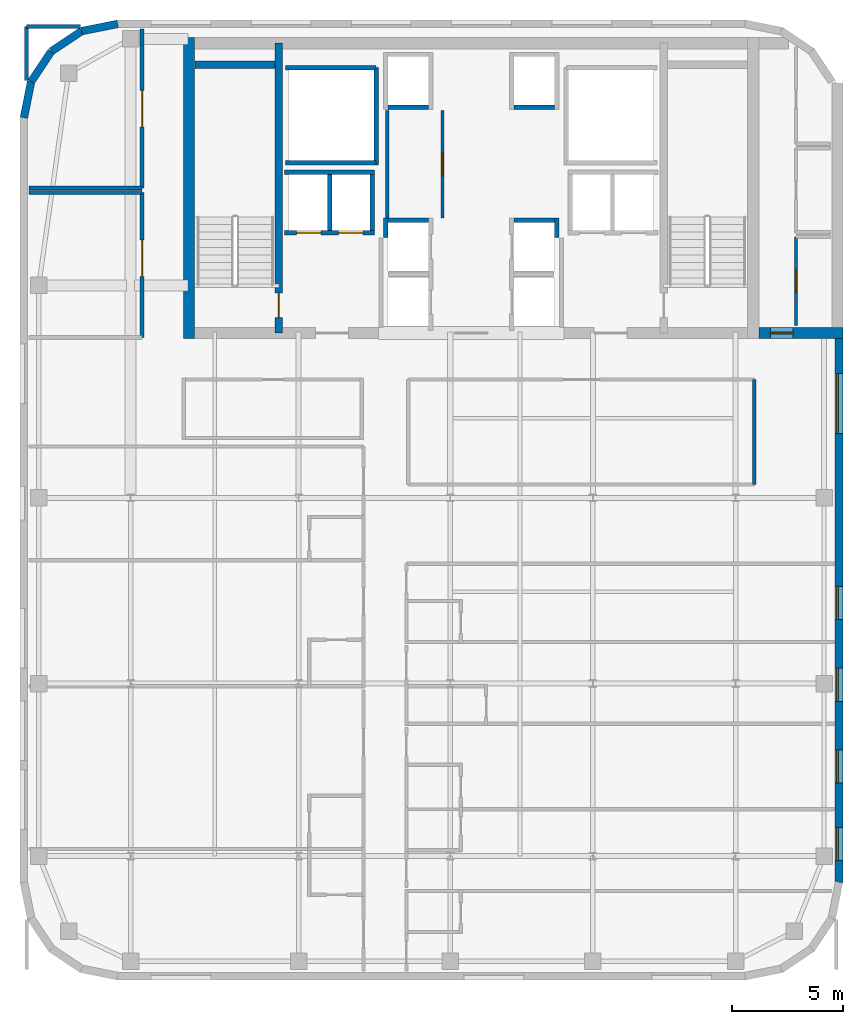
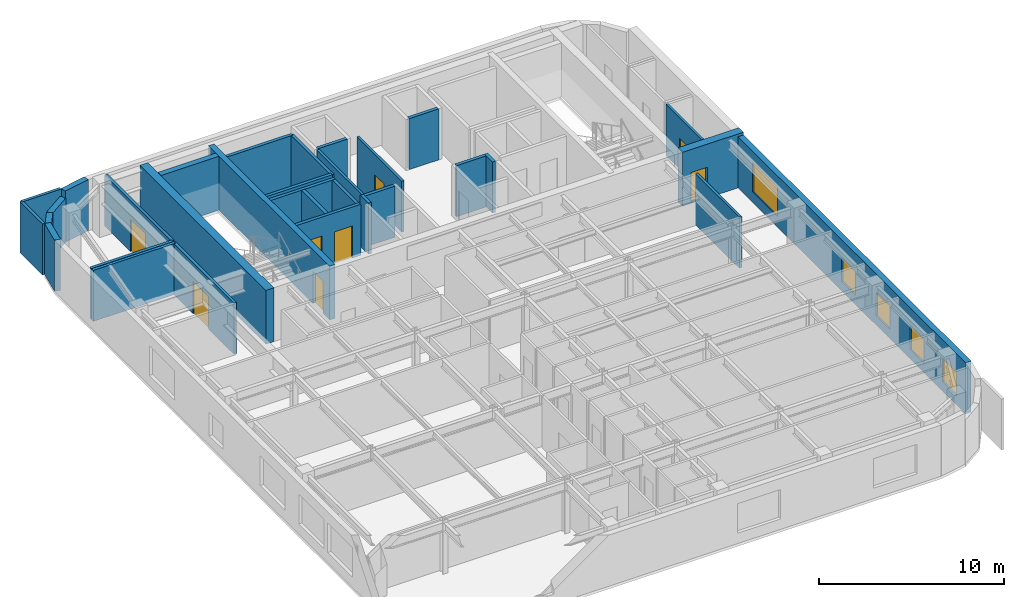
# One storey, part 6 of 9: 32 walls, 8 doors, 5 windows, 13 openings.
"""IFC4 building model written with IfcOpenShell, lengths in metres."""

from ifc_helpers import new_model, si_unit, direction, frame, frame_2d, origin, place, context, subcontext, project, spatial, rectangle, extrude, source, transform, mapped, material, layer, layer_set, type_object, type_shapes, element, fill, save


model = new_model("IFC4")

# Units and contexts
model_context = context("Model", 3, precision=1e-05, world=origin(), true_north=direction((0.0, 1.0)))
body_context = subcontext(model_context, "Body", "Model", "MODEL_VIEW")
ifc_project = project(units=[si_unit("LENGTHUNIT", "METRE"), si_unit("AREAUNIT", "SQUARE_METRE"), si_unit("VOLUMEUNIT", "CUBIC_METRE"), si_unit("PLANEANGLEUNIT", "RADIAN"), si_unit("MASSUNIT", "GRAM", prefix="KILO")], contexts=[model_context])

# Site, building, storey
site_placement = place(None, origin())
site = spatial("IfcSite", under=ifc_project, at=site_placement, CompositionType="ELEMENT")
building_placement = place(site_placement, origin())
building = spatial("IfcBuilding", under=site, at=building_placement, Name="Tolvann Quenvar Hotel", CompositionType="ELEMENT")
storey_placement = place(building_placement, frame((0.0, 0.0, 209.699951171875)))
storey = spatial("IfcBuildingStorey", under=building, at=storey_placement, Name="L55", CompositionType="ELEMENT", Elevation=209.699951171875)

# Wall
ifc_material_1 = material(Name="Concrete N50 (50 MPa)", Category="concrete")
ifc_layer_1 = layer(ifc_material_1, 0.5)
ifc_layer_set_1 = layer_set([ifc_layer_1], Name="Concrete N50 (50 MPa)")
wall_type_1 = type_object("IfcWallType", Name="WALL_CORE_500", PredefinedType="SHEAR", material=ifc_layer_set_1)
wall_1_placement = place(storey_placement, frame((10.25, 31.60009765625, 0.0), z_axis=(0.0, 0.0, 1.0), x_axis=(0.0, 1.0, 0.0)))
element("IfcWall", 1, at=wall_1_placement, inside=storey, type_object=wall_type_1, Name="Rear Core W Shear Wall (L55)", PredefinedType="SHEAR", context=body_context, shape_type="SweptSolid", body=[
    extrude(rectangle(XDim=13.599853515625, YDim=0.5, at=frame_2d((6.7998046875, 0.0))), origin(), (0.0, 0.0, 1.0), 3.550048828125),
])

# Wall, opening, door
wall_2_placement = place(storey_placement, frame((36.0, 31.85009765625, 0.0), z_axis=(0.0, 0.0, 1.0), x_axis=(1.0, 0.0, 0.0)))
wall_2 = element("IfcWall", 2, at=wall_2_placement, inside=storey, type_object=wall_type_1, Name="Core East Annex Shear Wall ANN-S (L55)", PredefinedType="SHEAR", context=body_context, shape_type="SweptSolid", body=[
    extrude(rectangle(XDim=3.800048828125, YDim=0.5, at=frame_2d((1.89990234375, 0.0))), origin(), (0.0, 0.0, 1.0), 3.550048828125),
])
opening_1_placement = place(wall_2_placement, frame((1.5400390625, 0.0, 0.0), z_axis=(0.0, 0.0, 1.0), x_axis=(-1.0, 0.0, 0.0)))
opening_1 = element("IfcOpeningElement", 3, at=opening_1_placement, cuts=wall_2, Name="Opening HD-01", PredefinedType="OPENING", context=body_context, shape_type="SweptSolid", body=[
    extrude(rectangle(XDim=1.02001953125, YDim=2.030029296875, at=frame_2d((0.510009765625, 1.01513671875))), frame((0.0, 0.260009765625, 0.0), z_axis=(0.0, -1.0, 0.0), x_axis=(1.0, 0.0, 0.0)), (0.0, 0.0, 1.0), 0.52001953125),
])
ifc_material_2 = material(Name="Pressed galvanised steel fire-rated door set", Category="steel")
door_type_1 = type_object("IfcDoorType", Name="DOOR_BOH_1020", OperationType="NOTDEFINED", PredefinedType="DOOR", material=ifc_material_2)
shared_shape_1 = source(origin(), body_context, "Body", "SweptSolid", [
    extrude(rectangle(XDim=1.02001953125, YDim=2.030029296875, at=frame_2d((0.510009765625, 1.01513671875))), frame((0.0, 0.02490234375, 0.0), z_axis=(0.0, -1.0, 0.0), x_axis=(1.0, 0.0, 0.0)), (0.0, 0.0, 1.0), 0.050048828125),
])
type_shapes(door_type_1, [shared_shape_1])
door_1_placement = place(opening_1_placement, origin())
door_1 = element("IfcDoor", 4, at=door_1_placement, inside=storey, type_object=door_type_1, Name="Housekeeping Annex Fire Door (L55)", OperationType="SINGLE_SWING_RIGHT", OverallHeight=2.030029296875, OverallWidth=1.02001953125, PredefinedType="DOOR", context=body_context, shape_type="MappedRepresentation", body=[
    mapped(shared_shape_1, transform((0.0, 0.0, 0.0), x_axis=(1.0, 0.0, 0.0), y_axis=(0.0, 1.0, 0.0), z_axis=(0.0, 0.0, 1.0), scale=1.0)),
])
fill(opening_1, door_1)

ifc_material_3 = material(Name="Concrete S65 (65 MPa)", Category="concrete")
ifc_layer_2 = layer(ifc_material_3, 0.35009765625)
ifc_layer_set_2 = layer_set([ifc_layer_2], Name="Concrete S65 (65 MPa)")
wall_type_2 = type_object("IfcWallType", Name="WALL_CORE_INT_350", PredefinedType="SHEAR", material=ifc_layer_set_2)
wall_3_placement = place(storey_placement, frame((14.300048828125, 31.85009765625, 0.0), z_axis=(0.0, 0.0, 1.0), x_axis=(0.0, 1.0, 0.0)))
wall_3 = element("IfcWall", 5, at=wall_3_placement, inside=storey, type_object=wall_type_2, Name="Core Internal Web Shear Wall WEB-W (L55)", PredefinedType="SHEAR", context=body_context, shape_type="SweptSolid", body=[
    extrude(rectangle(XDim=13.099853515625, YDim=0.35009765625, at=frame_2d((6.5498046875, 0.0))), origin(), (0.0, 0.0, 1.0), 3.550048828125),
])
opening_2_placement = place(wall_3_placement, frame((0.699951171875, 0.0, 0.0)))
opening_2 = element("IfcOpeningElement", 6, at=opening_2_placement, cuts=wall_3, Name="Opening FD-120", PredefinedType="OPENING", context=body_context, shape_type="SweptSolid", body=[
    extrude(rectangle(XDim=1.10009765625, YDim=2.1201171875, at=frame_2d((0.550048828125, 1.06005859375))), frame((0.0, 0.18505859375, 0.0), z_axis=(0.0, -1.0, 0.0), x_axis=(1.0, 0.0, 0.0)), (0.0, 0.0, 1.0), 0.3701171875),
])
door_type_2 = type_object("IfcDoorType", Name="DOOR_FIRE_STAIR_1100", OperationType="NOTDEFINED", PredefinedType="DOOR", material=ifc_material_2)
shared_shape_2 = source(origin(), body_context, "Body", "SweptSolid", [
    extrude(rectangle(XDim=1.10009765625, YDim=2.1201171875, at=frame_2d((0.550048828125, 1.06005859375))), frame((0.0, 0.02490234375, 0.0), z_axis=(0.0, -1.0, 0.0), x_axis=(1.0, 0.0, 0.0)), (0.0, 0.0, 1.0), 0.050048828125),
])
type_shapes(door_type_2, [shared_shape_2])
door_2_placement = place(opening_2_placement, origin())
door_2 = element("IfcDoor", 7, at=door_2_placement, inside=storey, type_object=door_type_2, Name="Exit Stair ST-C1 Fire Door (L55)", OperationType="SINGLE_SWING_RIGHT", OverallHeight=2.1201171875, OverallWidth=1.10009765625, PredefinedType="DOOR", context=body_context, shape_type="MappedRepresentation", body=[
    mapped(shared_shape_2, transform((0.0, 0.0, 0.0), x_axis=(1.0, 0.0, 0.0), y_axis=(0.0, 1.0, 0.0), z_axis=(0.0, 0.0, 1.0), scale=1.0)),
])
fill(opening_2, door_2)

# Wall
wall_4_placement = place(storey_placement, frame((10.52001953125, 43.97509765625, 0.0), z_axis=(0.0, 0.0, 1.0), x_axis=(1.0, 0.0, 0.0)))
element("IfcWall", 8, at=wall_4_placement, inside=storey, type_object=wall_type_2, Name="Core Stair North Closing Shear Wall STC1-N (L55)", PredefinedType="SHEAR", context=body_context, shape_type="SweptSolid", body=[
    extrude(rectangle(XDim=3.60009765625, YDim=0.35009765625, at=frame_2d((1.800048828125, 0.0))), origin(), (0.0, 0.0, 1.0), 3.550048828125),
])

# Wall, openings, windows
ifc_material_4 = material(Name="Kiln-fired red and buff architectural clay brickwork and terracotta masonry", Category="masonry")
ifc_layer_3 = layer(ifc_material_4, 0.35009765625)
ifc_layer_set_3 = layer_set([ifc_layer_3], Name="Kiln-fired red and buff architectural clay brickwork and terracotta masonry")
wall_type_3 = type_object("IfcWallType", Name="WALL_EXT_BRICK_350", PredefinedType="SOLIDWALL", material=ifc_layer_set_3)
wall_5_placement = place(storey_placement, frame((39.625, 7.01708984375, 0.0), z_axis=(0.0, 0.0, 1.0), x_axis=(0.0, 1.0, 0.0)))
wall_5 = element("IfcWall", 9, at=wall_5_placement, inside=storey, type_object=wall_type_3, Name="Exterior Chicago Brick Wall L55-E09", PredefinedType="SOLIDWALL", context=body_context, shape_type="SweptSolid", body=[
    extrude(rectangle(XDim=24.578857421875, YDim=0.35009765625, at=frame_2d((12.28955078125, 0.0))), origin(), (0.0, 0.0, 1.0), 3.3701171875),
])
opening_3_placement = place(wall_5_placement, frame((20.291015625, 0.0, 0.679931640625)))
opening_3 = element("IfcOpeningElement", 10, at=opening_3_placement, cuts=wall_5, Name="Opening W-04", PredefinedType="OPENING", context=body_context, shape_type="SweptSolid", body=[
    extrude(rectangle(XDim=2.699951171875, YDim=1.949951171875, at=frame_2d((1.35009765625, 0.97509765625))), frame((0.0, 0.18505859375, 0.0), z_axis=(0.0, -1.0, 0.0), x_axis=(1.0, 0.0, 0.0)), (0.0, 0.0, 1.0), 0.3701171875),
])
opening_4_placement = place(wall_5_placement, frame((0.986083984375, 0.0, 0.6201171875)))
opening_4 = element("IfcOpeningElement", 11, at=opening_4_placement, cuts=wall_5, Name="Opening W-08", PredefinedType="OPENING", context=body_context, shape_type="SweptSolid", body=[
    extrude(rectangle(XDim=1.5, YDim=1.550048828125, at=frame_2d((0.75, 0.77490234375))), frame((0.0, 0.18505859375, 0.0), z_axis=(0.0, -1.0, 0.0), x_axis=(1.0, 0.0, 0.0)), (0.0, 0.0, 1.0), 0.3701171875),
])
opening_5_placement = place(wall_5_placement, frame((4.48291015625, 0.0, 0.6201171875)))
opening_5 = element("IfcOpeningElement", 12, at=opening_5_placement, cuts=wall_5, Name="Opening W-08", PredefinedType="OPENING", context=body_context, shape_type="SweptSolid", body=[
    extrude(rectangle(XDim=1.5, YDim=1.550048828125, at=frame_2d((0.75, 0.77490234375))), frame((0.0, 0.18505859375, 0.0), z_axis=(0.0, -1.0, 0.0), x_axis=(1.0, 0.0, 0.0)), (0.0, 0.0, 1.0), 0.3701171875),
])
opening_6_placement = place(wall_5_placement, frame((8.18310546875, 0.0, 0.6201171875)))
opening_6 = element("IfcOpeningElement", 13, at=opening_6_placement, cuts=wall_5, Name="Opening W-08", PredefinedType="OPENING", context=body_context, shape_type="SweptSolid", body=[
    extrude(rectangle(XDim=1.5, YDim=1.550048828125, at=frame_2d((0.75, 0.77490234375))), frame((0.0, 0.18505859375, 0.0), z_axis=(0.0, -1.0, 0.0), x_axis=(1.0, 0.0, 0.0)), (0.0, 0.0, 1.0), 0.3701171875),
])
opening_7_placement = place(wall_5_placement, frame((11.883056640625, 0.0, 0.6201171875)))
opening_7 = element("IfcOpeningElement", 14, at=opening_7_placement, cuts=wall_5, Name="Opening W-08", PredefinedType="OPENING", context=body_context, shape_type="SweptSolid", body=[
    extrude(rectangle(XDim=1.5, YDim=1.550048828125, at=frame_2d((0.75, 0.77490234375))), frame((0.0, 0.18505859375, 0.0), z_axis=(0.0, -1.0, 0.0), x_axis=(1.0, 0.0, 0.0)), (0.0, 0.0, 1.0), 0.3701171875),
])
ifc_material_5 = material(Name="Thermally broken bronze-anodised aluminium frame with double low-E glazing", Category="aluminium")
window_type_1 = type_object("IfcWindowType", Name="WIN_COR_1500x2050", PartitioningType="SINGLE_PANEL", PredefinedType="WINDOW", material=ifc_material_5)
shared_shape_3 = source(origin(), body_context, "Body", "SweptSolid", [
    extrude(rectangle(XDim=1.5, YDim=1.550048828125, at=frame_2d((0.75, 0.77490234375))), frame((0.0, 0.090087890625, 0.0), z_axis=(0.0, -1.0, 0.0), x_axis=(1.0, 0.0, 0.0)), (0.0, 0.0, 1.0), 0.06005859375),
])
type_shapes(window_type_1, [shared_shape_3])
window_1_placement = place(opening_4_placement, origin())
window_1 = element("IfcWindow", 15, at=window_1_placement, inside=storey, type_object=window_type_1, Name="Chicago Window W-08 (EW-L55-E09-WD02)", OverallHeight=1.550048828125, OverallWidth=1.5, PartitioningType="SINGLE_PANEL", PredefinedType="WINDOW", context=body_context, shape_type="MappedRepresentation", body=[
    mapped(shared_shape_3, transform((0.0, 0.0, 0.0), x_axis=(1.0, 0.0, 0.0), y_axis=(0.0, 1.0, 0.0), z_axis=(0.0, 0.0, 1.0), scale=1.0)),
])
fill(opening_4, window_1)
window_2_placement = place(opening_5_placement, origin())
window_2 = element("IfcWindow", 16, at=window_2_placement, inside=storey, type_object=window_type_1, Name="Chicago Window W-08 (EW-L55-E09-WD03)", OverallHeight=1.550048828125, OverallWidth=1.5, PartitioningType="SINGLE_PANEL", PredefinedType="WINDOW", context=body_context, shape_type="MappedRepresentation", body=[
    mapped(shared_shape_3, transform((0.0, 0.0, 0.0), x_axis=(1.0, 0.0, 0.0), y_axis=(0.0, 1.0, 0.0), z_axis=(0.0, 0.0, 1.0), scale=1.0)),
])
fill(opening_5, window_2)
window_3_placement = place(opening_6_placement, origin())
window_3 = element("IfcWindow", 17, at=window_3_placement, inside=storey, type_object=window_type_1, Name="Chicago Window W-08 (EW-L55-E09-WD04)", OverallHeight=1.550048828125, OverallWidth=1.5, PartitioningType="SINGLE_PANEL", PredefinedType="WINDOW", context=body_context, shape_type="MappedRepresentation", body=[
    mapped(shared_shape_3, transform((0.0, 0.0, 0.0), x_axis=(1.0, 0.0, 0.0), y_axis=(0.0, 1.0, 0.0), z_axis=(0.0, 0.0, 1.0), scale=1.0)),
])
fill(opening_6, window_3)
window_4_placement = place(opening_7_placement, origin())
window_4 = element("IfcWindow", 18, at=window_4_placement, inside=storey, type_object=window_type_1, Name="Chicago Window W-08 (EW-L55-E09-WD05)", OverallHeight=1.550048828125, OverallWidth=1.5, PartitioningType="SINGLE_PANEL", PredefinedType="WINDOW", context=body_context, shape_type="MappedRepresentation", body=[
    mapped(shared_shape_3, transform((0.0, 0.0, 0.0), x_axis=(1.0, 0.0, 0.0), y_axis=(0.0, 1.0, 0.0), z_axis=(0.0, 0.0, 1.0), scale=1.0)),
])
fill(opening_7, window_4)
window_type_2 = type_object("IfcWindowType", Name="WIN_STE_2700x2150", PartitioningType="TRIPLE_PANEL_HORIZONTAL", PredefinedType="WINDOW", material=ifc_material_5)
shared_shape_4 = source(origin(), body_context, "Body", "SweptSolid", [
    extrude(rectangle(XDim=2.699951171875, YDim=1.949951171875, at=frame_2d((1.35009765625, 0.97509765625))), frame((0.0, 0.090087890625, 0.0), z_axis=(0.0, -1.0, 0.0), x_axis=(1.0, 0.0, 0.0)), (0.0, 0.0, 1.0), 0.06005859375),
])
type_shapes(window_type_2, [shared_shape_4])
window_5_placement = place(opening_3_placement, origin())
window_5 = element("IfcWindow", 19, at=window_5_placement, inside=storey, type_object=window_type_2, Name="Chicago Window W-04 (EW-L55-E09-W01)", OverallHeight=1.949951171875, OverallWidth=2.699951171875, PartitioningType="TRIPLE_PANEL_HORIZONTAL", PredefinedType="WINDOW", context=body_context, shape_type="MappedRepresentation", body=[
    mapped(shared_shape_4, transform((0.0, 0.0, 0.0), x_axis=(1.0, 0.0, 0.0), y_axis=(0.0, 1.0, 0.0), z_axis=(0.0, 0.0, 1.0), scale=1.0)),
])
fill(opening_3, window_5)

# Walls
wall_6_placement = place(storey_placement, frame((7.01708984375, 45.824951171875, 0.0), z_axis=(0.0, 0.0, 1.0), x_axis=(-0.980788844421, -0.195072403631, 0.0)))
element("IfcWall", 20, at=wall_6_placement, inside=storey, type_object=wall_type_3, Name="Exterior Chicago Brick Wall L55-E15", PredefinedType="SOLIDWALL", context=body_context, shape_type="SweptSolid", body=[
    extrude(rectangle(XDim=1.66455078125, YDim=0.35009765625, at=frame_2d((0.832275390625, 0.0))), origin(), (0.0, 0.0, 1.0), 3.3701171875),
])
for number, where, z_axis, x_axis, name in (
    (21, (5.384521484375, 45.500244140625, 0.0), (0.0, 0.0, 1.0), (-0.831502623162, -0.555520825599, 0.0), "Exterior Chicago Brick Wall L55-E16"),
    (22, (4.014892578125, 44.585205078125, 0.0), (0.0, 0.0, 1.0), (-0.555623290322, -0.831434158098, 0.0), "Exterior Chicago Brick Wall L55-E17"),
):
    element("IfcWall", number, at=place(storey_placement, frame(where, z_axis=z_axis, x_axis=x_axis)), inside=storey, type_object=wall_type_3, Name=name, PredefinedType="SOLIDWALL", context=body_context, shape_type="SweptSolid", body=[
        extrude(rectangle(XDim=1.647216796875, YDim=0.35009765625, at=frame_2d((0.82373046875, 0.0))), origin(), (0.0, 0.0, 1.0), 2.900146484375),
    ])
wall_7_placement = place(storey_placement, frame((3.099609375, 43.215576171875, 0.0), z_axis=(0.0, 0.0, 1.0), x_axis=(-0.195044345786, -0.980794424524, 0.0)))
element("IfcWall", 23, at=wall_7_placement, inside=storey, type_object=wall_type_3, Name="Exterior Chicago Brick Wall L55-E18", PredefinedType="SOLIDWALL", context=body_context, shape_type="SweptSolid", body=[
    extrude(rectangle(XDim=1.664794921875, YDim=0.35009765625, at=frame_2d((0.83251953125, 0.0))), origin(), (0.0, 0.0, 1.0), 3.3701171875),
])
ifc_material_6 = material(Name="Acoustic twin-stud fire-rated gypsum plasterboard partition")
ifc_layer_4 = layer(ifc_material_6, 0.179931640625)
ifc_layer_set_4 = layer_set([ifc_layer_4], Name="Acoustic twin-stud fire-rated gypsum plasterboard partition")
wall_type_4 = type_object("IfcWallType", Name="WALL_PART_ACOUSTIC_180", PredefinedType="PARTITIONING", material=ifc_layer_set_4)
wall_8_placement = place(storey_placement, frame((3.0048828125, 38.199951171875, 0.0), z_axis=(0.0, 0.0, 1.0), x_axis=(1.0, 0.0, 0.0)))
element("IfcWall", 24, at=wall_8_placement, inside=storey, type_object=wall_type_4, Name="Interior Partition PT-SPC-L55-SAL-N", PredefinedType="PARTITIONING", context=body_context, shape_type="SweptSolid", body=[
    extrude(rectangle(XDim=5.115234375, YDim=0.179931640625, at=frame_2d((2.5576171875, 0.0))), origin(), (0.0, 0.0, 1.0), 3.3701171875),
])

# Wall, opening, door
wall_9_placement = place(storey_placement, frame((8.1201171875, 31.64990234375, 0.0), z_axis=(0.0, 0.0, 1.0), x_axis=(0.0, 1.0, 0.0)))
wall_9 = element("IfcWall", 25, at=wall_9_placement, inside=storey, type_object=wall_type_4, Name="Interior Partition PT-SPC-L55-SAL-E", PredefinedType="PARTITIONING", context=body_context, shape_type="SweptSolid", body=[
    extrude(rectangle(XDim=6.550048828125, YDim=0.179931640625, at=frame_2d((3.27490234375, 0.0))), origin(), (0.0, 0.0, 1.0), 3.3701171875),
])
opening_8_placement = place(wall_9_placement, frame((2.75, 0.0, 0.0)))
opening_8 = element("IfcOpeningElement", 26, at=opening_8_placement, cuts=wall_9, Name="Opening AD-01", PredefinedType="OPENING", context=body_context, shape_type="SweptSolid", body=[
    extrude(rectangle(XDim=1.64990234375, YDim=2.14990234375, at=frame_2d((0.824951171875, 1.074951171875))), frame((0.0, 0.10009765625, 0.0), z_axis=(0.0, -1.0, 0.0), x_axis=(1.0, 0.0, 0.0)), (0.0, 0.0, 1.0), 0.199951171875),
])
ifc_material_7 = material(Name="Solid-core American oak acoustic fire door leaf in steel frame", Category="steel")
door_type_3 = type_object("IfcDoorType", Name="DOOR_SALON_1650", OperationType="NOTDEFINED", PredefinedType="DOOR", material=ifc_material_7)
shared_shape_5 = source(origin(), body_context, "Body", "SweptSolid", [
    extrude(rectangle(XDim=1.64990234375, YDim=2.14990234375, at=frame_2d((0.824951171875, 1.074951171875))), frame((0.0, 0.02490234375, 0.0), z_axis=(0.0, -1.0, 0.0), x_axis=(1.0, 0.0, 0.0)), (0.0, 0.0, 1.0), 0.050048828125),
])
type_shapes(door_type_3, [shared_shape_5])
door_3_placement = place(opening_8_placement, origin())
door_3 = element("IfcDoor", 27, at=door_3_placement, inside=storey, type_object=door_type_3, Name="Interior Door DOOR-SPC-L55-SAL", OperationType="DOUBLE_DOOR_SINGLE_SWING", OverallHeight=2.14990234375, OverallWidth=1.64990234375, PredefinedType="DOOR", context=body_context, shape_type="MappedRepresentation", body=[
    mapped(shared_shape_5, transform((0.0, 0.0, 0.0), x_axis=(1.0, 0.0, 0.0), y_axis=(0.0, 1.0, 0.0), z_axis=(0.0, 0.0, 1.0), scale=1.0)),
])
fill(opening_8, door_3)

# Walls
wall_10_placement = place(storey_placement, frame((3.0048828125, 38.39990234375, 0.0), z_axis=(0.0, 0.0, 1.0), x_axis=(1.0, 0.0, 0.0)))
element("IfcWall", 28, at=wall_10_placement, inside=storey, type_object=wall_type_4, Name="Interior Partition PT-SPC-L55-STD-S", PredefinedType="PARTITIONING", context=body_context, shape_type="SweptSolid", body=[
    extrude(rectangle(XDim=5.115234375, YDim=0.179931640625, at=frame_2d((2.5576171875, 0.0))), origin(), (0.0, 0.0, 1.0), 3.3701171875),
])
for number, where, z_axis, x_axis, name in (
    (29, (2.89990234375, 45.699951171875, 0.0), (0.0, 0.0, 1.0), (1.0, 0.0, 0.0), "Interior Partition PT-SPC-L55-STD-N"),
    (30, (2.89990234375, 43.2548828125, 0.0), (0.0, 0.0, 1.0), (0.0, 1.0, 0.0), "Interior Partition PT-SPC-L55-STD-W"),
):
    element("IfcWall", number, at=place(storey_placement, frame(where, z_axis=z_axis, x_axis=x_axis)), inside=storey, type_object=wall_type_4, Name=name, PredefinedType="PARTITIONING", context=body_context, shape_type="SweptSolid", body=[
        extrude(rectangle(XDim=2.445068359375, YDim=0.179931640625, at=frame_2d((1.22265625, 0.0))), origin(), (0.0, 0.0, 1.0), 3.3701171875),
    ])

# Wall, opening, door
wall_11_placement = place(storey_placement, frame((8.1201171875, 38.39990234375, 0.0), z_axis=(0.0, 0.0, 1.0), x_axis=(0.0, 1.0, 0.0)))
wall_11 = element("IfcWall", 31, at=wall_11_placement, inside=storey, type_object=wall_type_4, Name="Interior Partition PT-SPC-L55-STD-E", PredefinedType="PARTITIONING", context=body_context, shape_type="SweptSolid", body=[
    extrude(rectangle(XDim=7.195068359375, YDim=0.179931640625, at=frame_2d((3.59765625, 0.0))), origin(), (0.0, 0.0, 1.0), 3.3701171875),
])
opening_9_placement = place(wall_11_placement, frame((2.7724609375, 0.0, 0.0)))
opening_9 = element("IfcOpeningElement", 32, at=opening_9_placement, cuts=wall_11, Name="Opening AD-01", PredefinedType="OPENING", context=body_context, shape_type="SweptSolid", body=[
    extrude(rectangle(XDim=1.64990234375, YDim=2.14990234375, at=frame_2d((0.824951171875, 1.074951171875))), frame((0.0, 0.10009765625, 0.0), z_axis=(0.0, -1.0, 0.0), x_axis=(1.0, 0.0, 0.0)), (0.0, 0.0, 1.0), 0.199951171875),
])
door_4_placement = place(opening_9_placement, origin())
door_4 = element("IfcDoor", 33, at=door_4_placement, inside=storey, type_object=door_type_3, Name="Interior Door DOOR-SPC-L55-STD", OperationType="DOUBLE_DOOR_SINGLE_SWING", OverallHeight=2.14990234375, OverallWidth=1.64990234375, PredefinedType="DOOR", context=body_context, shape_type="MappedRepresentation", body=[
    mapped(shared_shape_5, transform((0.0, 0.0, 0.0), x_axis=(1.0, 0.0, 0.0), y_axis=(0.0, 1.0, 0.0), z_axis=(0.0, 0.0, 1.0), scale=1.0)),
])
fill(opening_9, door_4)

ifc_layer_5 = layer(ifc_material_6, 0.14990234375)
ifc_layer_set_5 = layer_set([ifc_layer_5], Name="Acoustic twin-stud fire-rated gypsum plasterboard partition")
wall_type_5 = type_object("IfcWallType", Name="WALL_PART_SUITE_150", PredefinedType="PARTITIONING", material=ifc_layer_set_5)
wall_12_placement = place(storey_placement, frame((21.699951171875, 37.050048828125, 0.0), z_axis=(0.0, 0.0, 1.0), x_axis=(0.0, 1.0, 0.0)))
wall_12 = element("IfcWall", 34, at=wall_12_placement, inside=storey, type_object=wall_type_5, Name="Interior Partition PT-SPC-L55-RECPM-1-ENT", PredefinedType="PARTITIONING", context=body_context, shape_type="SweptSolid", body=[
    extrude(rectangle(XDim=4.849853515625, YDim=0.14990234375, at=frame_2d((2.4248046875, 0.0))), origin(), (0.0, 0.0, 1.0), 3.3701171875),
])
opening_10_placement = place(wall_12_placement, frame((1.9150390625, 0.0, 0.0)))
opening_10 = element("IfcOpeningElement", 35, at=opening_10_placement, cuts=wall_12, Name="Opening HD-01", PredefinedType="OPENING", context=body_context, shape_type="SweptSolid", body=[
    extrude(rectangle(XDim=1.02001953125, YDim=2.030029296875, at=frame_2d((0.510009765625, 1.01513671875))), frame((0.0, 0.0849609375, 0.0), z_axis=(0.0, -1.0, 0.0), x_axis=(1.0, 0.0, 0.0)), (0.0, 0.0, 1.0), 0.169921875),
])
door_5_placement = place(opening_10_placement, origin())
door_5 = element("IfcDoor", 36, at=door_5_placement, inside=storey, type_object=door_type_1, Name="Interior Door DOOR-SPC-L55-RECPM-1", OperationType="SINGLE_SWING_RIGHT", OverallHeight=2.030029296875, OverallWidth=1.02001953125, PredefinedType="DOOR", context=body_context, shape_type="MappedRepresentation", body=[
    mapped(shared_shape_1, transform((0.0, 0.0, 0.0), x_axis=(1.0, 0.0, 0.0), y_axis=(0.0, 1.0, 0.0), z_axis=(0.0, 0.0, 1.0), scale=1.0)),
])
fill(opening_10, door_5)

# Wall
wall_13_placement = place(storey_placement, frame((19.199951171875, 37.0400390625, 0.0), z_axis=(0.0, 0.0, 1.0), x_axis=(0.0, 1.0, 0.0)))
element("IfcWall", 37, at=wall_13_placement, inside=storey, type_object=wall_type_5, Name="Interior Partition PT-SPC-L55-RECPM-1-W", PredefinedType="PARTITIONING", context=body_context, shape_type="SweptSolid", body=[
    extrude(rectangle(XDim=4.85986328125, YDim=0.14990234375, at=frame_2d((2.429931640625, 0.0))), origin(), (0.0, 0.0, 1.0), 3.3701171875),
])

# Wall, opening, door
wall_14_placement = place(storey_placement, frame((37.679931640625, 32.199951171875, 0.0), z_axis=(0.0, 0.0, 1.0), x_axis=(0.0, 1.0, 0.0)))
wall_14 = element("IfcWall", 38, at=wall_14_placement, inside=storey, type_object=wall_type_5, Name="Interior Partition PT-SPC-L55-RECPL-1-W", PredefinedType="PARTITIONING", context=body_context, shape_type="SweptSolid", body=[
    extrude(rectangle(XDim=4.0, YDim=0.14990234375, at=frame_2d((2.0, 0.0))), origin(), (0.0, 0.0, 1.0), 3.3701171875),
])
opening_11_placement = place(wall_14_placement, frame((1.489990234375, 0.0, 0.0)))
opening_11 = element("IfcOpeningElement", 39, at=opening_11_placement, cuts=wall_14, Name="Opening HD-01", PredefinedType="OPENING", context=body_context, shape_type="SweptSolid", body=[
    extrude(rectangle(XDim=1.02001953125, YDim=2.030029296875, at=frame_2d((0.510009765625, 1.01513671875))), frame((0.0, 0.0849609375, 0.0), z_axis=(0.0, -1.0, 0.0), x_axis=(1.0, 0.0, 0.0)), (0.0, 0.0, 1.0), 0.169921875),
])
door_6_placement = place(opening_11_placement, origin())
door_6 = element("IfcDoor", 40, at=door_6_placement, inside=storey, type_object=door_type_1, Name="Interior Door DOOR-SPC-L55-RECPL-1", OperationType="SINGLE_SWING_LEFT", OverallHeight=2.030029296875, OverallWidth=1.02001953125, PredefinedType="DOOR", context=body_context, shape_type="MappedRepresentation", body=[
    mapped(shared_shape_1, transform((0.0, 0.0, 0.0), x_axis=(1.0, 0.0, 0.0), y_axis=(0.0, 1.0, 0.0), z_axis=(0.0, 0.0, 1.0), scale=1.0)),
])
fill(opening_11, door_6)

# Walls
wall_15_placement = place(storey_placement, frame((35.800048828125, 25.0, 0.0), z_axis=(0.0, 0.0, 1.0), x_axis=(0.0, 1.0, 0.0)))
element("IfcWall", 41, at=wall_15_placement, inside=storey, type_object=wall_type_5, Name="Interior Partition PT-SPC-L55-LOUNGE-E", PredefinedType="PARTITIONING", context=body_context, shape_type="SweptSolid", body=[
    extrude(rectangle(XDim=4.75, YDim=0.14990234375, at=frame_2d((2.375, 0.0))), origin(), (0.0, 0.0, 1.0), 3.3701171875),
])
ifc_material_8 = material(Name="Concrete N40 (40 MPa)", Category="concrete")
ifc_layer_6 = layer(ifc_material_8, 0.199951171875)
ifc_layer_set_6 = layer_set([ifc_layer_6], Name="Concrete N40 (40 MPa)")
wall_type_6 = type_object("IfcWallType", Name="WALL_SHAFT_200", PredefinedType="SOLIDWALL", material=ifc_layer_set_6)
wall_16_placement = place(storey_placement, frame((18.699951171875, 39.449951171875, 0.0), z_axis=(0.0, 0.0, 1.0), x_axis=(0.0, 1.0, 0.0)))
element("IfcWall", 42, at=wall_16_placement, inside=storey, type_object=wall_type_6, Name="Service Riser W Shaft Wall IN (L55)", PredefinedType="SOLIDWALL", context=body_context, shape_type="SweptSolid", body=[
    extrude(rectangle(XDim=4.400146484375, YDim=0.199951171875, at=frame_2d((2.2001953125, 0.0))), origin(), (0.0, 0.0, 1.0), 3.3701171875),
])
for number, where, z_axis, x_axis, name in (
    (43, (14.60009765625, 39.550048828125, 0.0), (0.0, 0.0, 1.0), (1.0, 0.0, 0.0), "Service Riser W Shaft Wall S (L55)"),
    (44, (14.60009765625, 43.85009765625, 0.0), (0.0, 0.0, 1.0), (1.0, 0.0, 0.0), "Service Riser W Shaft Wall N (L55)"),
):
    element("IfcWall", number, at=place(storey_placement, frame(where, z_axis=z_axis, x_axis=x_axis)), inside=storey, type_object=wall_type_6, Name=name, PredefinedType="SOLIDWALL", context=body_context, shape_type="SweptSolid", body=[
        extrude(rectangle(XDim=4.099853515625, YDim=0.199951171875, at=frame_2d((2.0498046875, 0.0))), origin(), (0.0, 0.0, 1.0), 3.3701171875),
    ])
wall_17_placement = place(storey_placement, frame((19.1298828125, 36.159912109375, 0.0), z_axis=(0.0, 0.0, 1.0), x_axis=(0.0, 1.0, 0.0)))
element("IfcWall", 45, at=wall_17_placement, inside=storey, type_object=wall_type_6, Name="Lift Bank E21.1C1 Hoistway Rear Wall (L55)", PredefinedType="SOLIDWALL", context=body_context, shape_type="SweptSolid", body=[
    extrude(rectangle(XDim=0.880126953125, YDim=0.199951171875, at=frame_2d((0.43994140625, 0.0))), origin(), (0.0, 0.0, 1.0), 3.3701171875),
])
for number, where, z_axis, x_axis, name in (
    (46, (19.22998046875, 36.93994140625, 0.0), (0.0, 0.0, 1.0), (1.0, 0.0, 0.0), "Lift Bank E21.1C1 Hoistway Cheek Wall 2 (L55)"),
    (47, (19.22998046875, 42.06005859375, 0.0), (0.0, 0.0, 1.0), (1.0, 0.0, 0.0), "Lift Bank E21.1C2 Hoistway Cheek Wall 1 (L55)"),
):
    element("IfcWall", number, at=place(storey_placement, frame(where, z_axis=z_axis, x_axis=x_axis)), inside=storey, type_object=wall_type_6, Name=name, PredefinedType="SOLIDWALL", context=body_context, shape_type="SweptSolid", body=[
        extrude(rectangle(XDim=1.840087890625, YDim=0.199951171875, at=frame_2d((0.919921875, 0.0))), origin(), (0.0, 0.0, 1.0), 3.3701171875),
    ])

# Wall, openings, doors
wall_18_placement = place(storey_placement, frame((14.550048828125, 36.3798828125, 0.0), z_axis=(0.0, 0.0, 1.0), x_axis=(1.0, 0.0, 0.0)))
wall_18 = element("IfcWall", 48, at=wall_18_placement, inside=storey, type_object=wall_type_6, Name="Lift Bank SWC1 Hoistway Front Wall (L55)", PredefinedType="SOLIDWALL", context=body_context, shape_type="SweptSolid", body=[
    extrude(rectangle(XDim=4.074951171875, YDim=0.199951171875, at=frame_2d((2.03759765625, 0.0))), origin(), (0.0, 0.0, 1.0), 3.3701171875),
])
opening_12_placement = place(wall_18_placement, frame((0.550048828125, 0.0, 0.0)))
opening_12 = element("IfcOpeningElement", 49, at=opening_12_placement, cuts=wall_18, Name="Opening LD-01", PredefinedType="OPENING", context=body_context, shape_type="SweptSolid", body=[
    extrude(rectangle(XDim=1.10009765625, YDim=2.1201171875, at=frame_2d((0.550048828125, 1.06005859375))), frame((0.0, 0.10986328125, 0.0), z_axis=(0.0, -1.0, 0.0), x_axis=(1.0, 0.0, 0.0)), (0.0, 0.0, 1.0), 0.219970703125),
])
opening_13_placement = place(wall_18_placement, frame((2.449951171875, 0.0, 0.0)))
opening_13 = element("IfcOpeningElement", 50, at=opening_13_placement, cuts=wall_18, Name="Opening LD-01", PredefinedType="OPENING", context=body_context, shape_type="SweptSolid", body=[
    extrude(rectangle(XDim=1.10009765625, YDim=2.1201171875, at=frame_2d((0.550048828125, 1.06005859375))), frame((0.0, 0.10986328125, 0.0), z_axis=(0.0, -1.0, 0.0), x_axis=(1.0, 0.0, 0.0)), (0.0, 0.0, 1.0), 0.219970703125),
])
ifc_material_9 = material(Name="Brushed 316 stainless steel automatic sliding lift landing door", Category="steel")
door_type_4 = type_object("IfcDoorType", Name="DOOR_LIFT_SLIDE_1100", OperationType="NOTDEFINED", PredefinedType="DOOR", material=ifc_material_9)
shared_shape_6 = source(origin(), body_context, "Body", "SweptSolid", [
    extrude(rectangle(XDim=1.10009765625, YDim=2.1201171875, at=frame_2d((0.550048828125, 1.06005859375))), frame((0.0, 0.02490234375, 0.0), z_axis=(0.0, -1.0, 0.0), x_axis=(1.0, 0.0, 0.0)), (0.0, 0.0, 1.0), 0.050048828125),
])
type_shapes(door_type_4, [shared_shape_6])
door_7_placement = place(opening_12_placement, origin())
door_7 = element("IfcDoor", 51, at=door_7_placement, inside=storey, type_object=door_type_4, Name="Lift FF-1 Sliding Landing Door (L55)", OperationType="SLIDING_TO_LEFT", OverallHeight=2.1201171875, OverallWidth=1.10009765625, PredefinedType="DOOR", context=body_context, shape_type="MappedRepresentation", body=[
    mapped(shared_shape_6, transform((0.0, 0.0, 0.0), x_axis=(1.0, 0.0, 0.0), y_axis=(0.0, 1.0, 0.0), z_axis=(0.0, 0.0, 1.0), scale=1.0)),
])
fill(opening_12, door_7)
door_8_placement = place(opening_13_placement, origin())
door_8 = element("IfcDoor", 52, at=door_8_placement, inside=storey, type_object=door_type_4, Name="Lift SV-1 Sliding Landing Door (L55)", OperationType="SLIDING_TO_RIGHT", OverallHeight=2.1201171875, OverallWidth=1.10009765625, PredefinedType="DOOR", context=body_context, shape_type="MappedRepresentation", body=[
    mapped(shared_shape_6, transform((0.0, 0.0, 0.0), x_axis=(1.0, 0.0, 0.0), y_axis=(0.0, 1.0, 0.0), z_axis=(0.0, 0.0, 1.0), scale=1.0)),
])
fill(opening_13, door_8)

# Walls
wall_19_placement = place(storey_placement, frame((14.550048828125, 39.1201171875, 0.0), z_axis=(0.0, 0.0, 1.0), x_axis=(1.0, 0.0, 0.0)))
element("IfcWall", 53, at=wall_19_placement, inside=storey, type_object=wall_type_6, Name="Lift Bank SWC1 Hoistway Rear Wall (L55)", PredefinedType="SOLIDWALL", context=body_context, shape_type="SweptSolid", body=[
    extrude(rectangle(XDim=4.074951171875, YDim=0.199951171875, at=frame_2d((2.03759765625, 0.0))), origin(), (0.0, 0.0, 1.0), 3.3701171875),
])
for number, where, z_axis, x_axis, name in (
    (54, (18.52490234375, 36.47998046875, 0.0), (0.0, 0.0, 1.0), (0.0, 1.0, 0.0), "Lift Bank SWC1 Hoistway Cheek Wall 2 (L55)"),
    (55, (16.612548828125, 36.47998046875, 0.0), (0.0, 0.0, 1.0), (0.0, 1.0, 0.0), "Lift Bank SWC1 Divider Wall 1 (L55)"),
):
    element("IfcWall", number, at=place(storey_placement, frame(where, z_axis=z_axis, x_axis=x_axis)), inside=storey, type_object=wall_type_6, Name=name, PredefinedType="SOLIDWALL", context=body_context, shape_type="SweptSolid", body=[
        extrude(rectangle(XDim=2.5400390625, YDim=0.199951171875, at=frame_2d((1.27001953125, 0.0))), origin(), (0.0, 0.0, 1.0), 3.3701171875),
    ])
wall_20_placement = place(storey_placement, frame((26.8701171875, 36.159912109375, 0.0), z_axis=(0.0, 0.0, 1.0), x_axis=(0.0, 1.0, 0.0)))
element("IfcWall", 56, at=wall_20_placement, inside=storey, type_object=wall_type_6, Name="Lift Bank W24.9C1 Hoistway Rear Wall (L55)", PredefinedType="SOLIDWALL", context=body_context, shape_type="SweptSolid", body=[
    extrude(rectangle(XDim=0.880126953125, YDim=0.199951171875, at=frame_2d((0.43994140625, 0.0))), origin(), (0.0, 0.0, 1.0), 3.3701171875),
])
for number, where, z_axis, x_axis, name in (
    (57, (24.929931640625, 36.93994140625, 0.0), (0.0, 0.0, 1.0), (1.0, 0.0, 0.0), "Lift Bank W24.9C1 Hoistway Cheek Wall 2 (L55)"),
    (58, (24.929931640625, 42.06005859375, 0.0), (0.0, 0.0, 1.0), (1.0, 0.0, 0.0), "Lift Bank W24.9C2 Hoistway Cheek Wall 1 (L55)"),
):
    element("IfcWall", number, at=place(storey_placement, frame(where, z_axis=z_axis, x_axis=x_axis)), inside=storey, type_object=wall_type_6, Name=name, PredefinedType="SOLIDWALL", context=body_context, shape_type="SweptSolid", body=[
        extrude(rectangle(XDim=1.840087890625, YDim=0.199951171875, at=frame_2d((0.919921875, 0.0))), origin(), (0.0, 0.0, 1.0), 3.3701171875),
    ])

save(model, "model.ifc")
